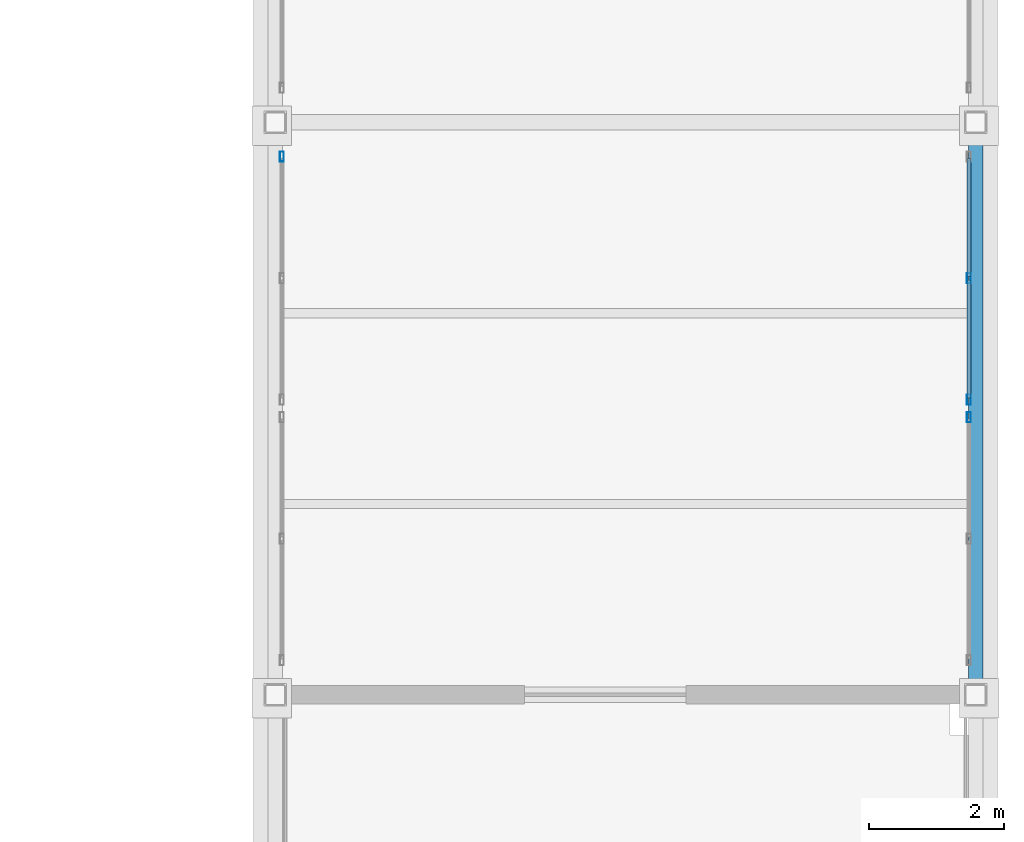
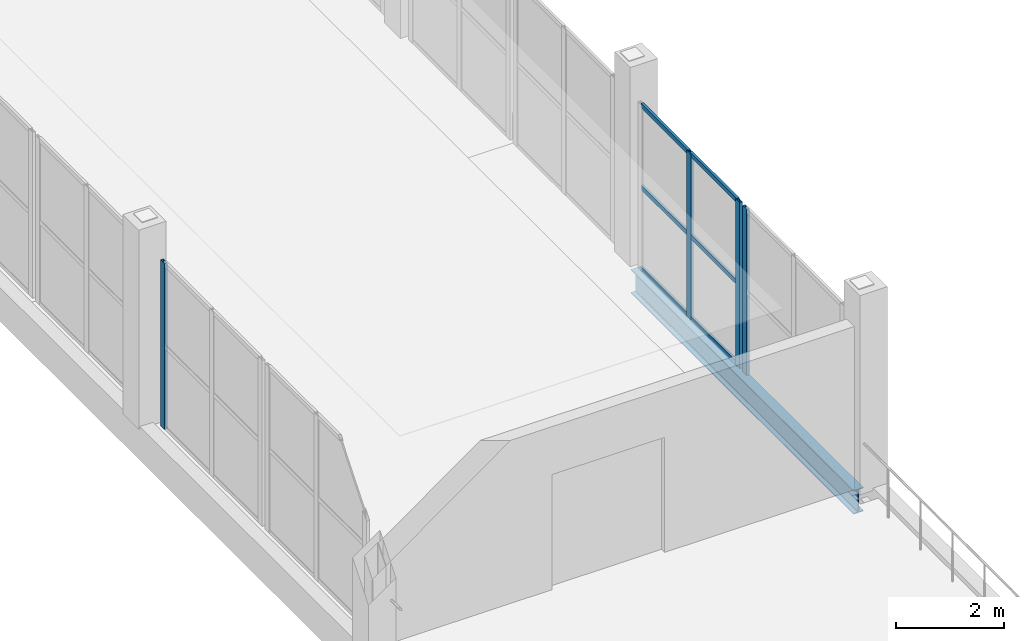
# One storey, part 74 of 156: 10 members, 1 beam, 3 elements without a shape of their own.
"""IFC4 building model written with IfcOpenShell, lengths in metres."""

from ifc_helpers import new_model, si_unit, direction, frame, origin, origin_2d, place, context, subcontext, project, spatial, hollow_rectangle, i_section, extrude, material, material_profile, profile_set, type_object, element, aggregate, save


model = new_model("IFC4")

# Units and contexts
model_context = context("Model", 3, precision=1e-05, world=origin(), true_north=direction((0.0, 1.0)))
body_context = subcontext(model_context, "Body", "Model", "MODEL_VIEW")
ifc_project = project(units=[si_unit("LENGTHUNIT", "METRE"), si_unit("AREAUNIT", "SQUARE_METRE"), si_unit("VOLUMEUNIT", "CUBIC_METRE"), si_unit("PLANEANGLEUNIT", "RADIAN"), si_unit("MASSUNIT", "GRAM", prefix="KILO")], contexts=[model_context])

# Site, building, storey
site_placement = place(None, origin())
site = spatial("IfcSite", under=ifc_project, at=site_placement, CompositionType="ELEMENT")
building_placement = place(site_placement, origin())
building = spatial("IfcBuilding", under=site, at=building_placement, Name="Caurita Quay Ferry Terminal", CompositionType="ELEMENT")
storey_placement = place(building_placement, frame((0.0, 0.0, 5.39990234375)))
storey = spatial("IfcBuildingStorey", under=building, at=storey_placement, Name="L01", CompositionType="ELEMENT", Elevation=5.39990234375)

# Beam
ifc_material_1 = material(Name="Structural steel ASTM A992 Gr. 50", Category="steel")
ifc_material_profile_1 = material_profile(ifc_material_1, i_section(OverallWidth=0.210693359375, OverallDepth=0.53857421875, WebThickness=0.01171875, FlangeThickness=0.018798828125, FilletRadius=0.013916015625, at=origin_2d()), Name="W21X73")
ifc_profile_set_1 = profile_set([ifc_material_profile_1], Name="Structural steel ASTM A992 Gr. 50")
beam_type = type_object("IfcBeamType", Name="BM-GR-W21A", PredefinedType="BEAM", material=ifc_profile_set_1)
beam_placement = place(storey_placement, frame((174.0, 8.62939453125, -0.504150390625), z_axis=(0.0, 1.0, 0.0), x_axis=(-1.0, 0.0, 0.0)))
element("IfcBeam", 1, at=beam_placement, inside=storey, type_object=beam_type, Name="L01 Beam BM-V3P-L01-Y-1740-86", PredefinedType="BEAM", context=body_context, shape_type="SweptSolid", body=[
    extrude(i_section(OverallWidth=0.210693359375, OverallDepth=0.53857421875, WebThickness=0.01171875, FlangeThickness=0.018798828125, FilletRadius=0.013916015625, at=origin_2d()), origin(), (0.0, 0.0, 1.0), 8.2412109375),
])

# Curtain wall, member
ifc_material_2 = material(Name="Laminated solar-control insulated glass", Category="glass")
curtain_wall_type = type_object("IfcCurtainWallType", Name="CW-SYS-15", PredefinedType="NOTDEFINED", material=ifc_material_2)
curtain_wall_1_placement = place(storey_placement, origin())
curtain_wall_1 = element("IfcCurtainWall", 2, at=curtain_wall_1_placement, inside=storey, type_object=curtain_wall_type, Name="Boarding Gangway Ribbon Curtain Wall 125", PredefinedType="NOTDEFINED")
ifc_material_3 = material(Name="Anodized aluminium 6063-T6", Category="aluminium")
ifc_material_profile_2 = material_profile(ifc_material_3, hollow_rectangle(XDim=0.06005859375, YDim=0.14990234375, WallThickness=0.00341796875, at=origin_2d()), Name="ALU-MUL-60X150")
ifc_profile_set_2 = profile_set([ifc_material_profile_2], Name="Anodized aluminium 6063-T6")
member_type_1 = type_object("IfcMemberType", Name="CW-MUL-150", PredefinedType="MULLION", material=ifc_profile_set_2)
member_1_placement = place(storey_placement, frame((163.699951171875, 16.489990234375, 0.0), z_axis=(0.0, 0.0, 1.0), x_axis=(-1.0, 0.0, 0.0)))
member_1 = element("IfcMember", 3, at=member_1_placement, type_object=member_type_1, Name="CW-BGW-125 Mullion 3", PredefinedType="MULLION", context=body_context, shape_type="SweptSolid", body=[
    extrude(hollow_rectangle(XDim=0.06005859375, YDim=0.14990234375, WallThickness=0.00341796875, at=origin_2d()), origin(), (0.0, 0.0, 1.0), 3.75),
])
aggregate(curtain_wall_1, [member_1])

curtain_wall_2_placement = place(storey_placement, origin())
curtain_wall_2 = element("IfcCurtainWall", 4, at=curtain_wall_2_placement, inside=storey, type_object=curtain_wall_type, Name="Boarding Gangway Ribbon Curtain Wall 130", PredefinedType="NOTDEFINED")
member_2_placement = place(storey_placement, frame((173.89990234375, 12.6201171875, 0.0), z_axis=(0.0, 0.0, 1.0), x_axis=(-1.0, 0.0, 0.0)))
member_2 = element("IfcMember", 5, at=member_2_placement, type_object=member_type_1, Name="CW-BGW-130 Mullion 3", PredefinedType="MULLION", context=body_context, shape_type="SweptSolid", body=[
    extrude(hollow_rectangle(XDim=0.06005859375, YDim=0.14990234375, WallThickness=0.00341796875, at=origin_2d()), origin(), (0.0, 0.0, 1.0), 3.75),
])
aggregate(curtain_wall_2, [member_2])

# Curtain wall, members
curtain_wall_3_placement = place(storey_placement, origin())
curtain_wall_3 = element("IfcCurtainWall", 6, at=curtain_wall_3_placement, inside=storey, type_object=curtain_wall_type, Name="Boarding Gangway Ribbon Curtain Wall 131", PredefinedType="NOTDEFINED")
member_3_placement = place(storey_placement, frame((173.89990234375, 12.8798828125, 0.0), z_axis=(0.0, 0.0, 1.0), x_axis=(-1.0, 0.0, 0.0)))
member_3 = element("IfcMember", 7, at=member_3_placement, type_object=member_type_1, Name="CW-BGW-131 Mullion 1", PredefinedType="MULLION", context=body_context, shape_type="SweptSolid", body=[
    extrude(hollow_rectangle(XDim=0.06005859375, YDim=0.14990234375, WallThickness=0.00341796875, at=origin_2d()), origin(), (0.0, 0.0, 1.0), 3.75),
])
member_4_placement = place(storey_placement, frame((173.89990234375, 14.68505859375, 0.0), z_axis=(0.0, 0.0, 1.0), x_axis=(-1.0, 0.0, 0.0)))
member_4 = element("IfcMember", 8, at=member_4_placement, type_object=member_type_1, Name="CW-BGW-131 Mullion 2", PredefinedType="MULLION", context=body_context, shape_type="SweptSolid", body=[
    extrude(hollow_rectangle(XDim=0.06005859375, YDim=0.14990234375, WallThickness=0.00341796875, at=origin_2d()), origin(), (0.0, 0.0, 1.0), 3.75),
])
ifc_material_profile_3 = material_profile(ifc_material_3, hollow_rectangle(XDim=0.054931640625, YDim=0.10009765625, WallThickness=0.00341796875, at=origin_2d()), Name="ALU-TRN-55X100")
ifc_profile_set_3 = profile_set([ifc_material_profile_3], Name="Anodized aluminium 6063-T6")
member_type_2 = type_object("IfcMemberType", Name="CW-TRN-100", PredefinedType="USERDEFINED", material=ifc_profile_set_3)
member_5_placement = place(storey_placement, frame((173.89990234375, 12.907958984375, 0.027587890625), z_axis=(0.0, 1.0, 0.0), x_axis=(-1.0, 0.0, 0.0)))
member_5 = element("IfcMember", 9, at=member_5_placement, type_object=member_type_2, Name="CW-BGW-131 Transom 1", ObjectType="TRANSOM", PredefinedType="USERDEFINED", context=body_context, shape_type="SweptSolid", body=[
    extrude(hollow_rectangle(XDim=0.054931640625, YDim=0.10009765625, WallThickness=0.00341796875, at=origin_2d()), origin(), (0.0, 0.0, 1.0), 1.7490234375),
])
member_6_placement = place(storey_placement, frame((173.89990234375, 12.907958984375, 1.875), z_axis=(0.0, 1.0, 0.0), x_axis=(-1.0, 0.0, 0.0)))
member_6 = element("IfcMember", 10, at=member_6_placement, type_object=member_type_2, Name="CW-BGW-131 Transom 2", ObjectType="TRANSOM", PredefinedType="USERDEFINED", context=body_context, shape_type="SweptSolid", body=[
    extrude(hollow_rectangle(XDim=0.054931640625, YDim=0.10009765625, WallThickness=0.00341796875, at=origin_2d()), origin(), (0.0, 0.0, 1.0), 1.7490234375),
])
member_7_placement = place(storey_placement, frame((173.89990234375, 12.907958984375, 3.72265625), z_axis=(0.0, 1.0, 0.0), x_axis=(-1.0, 0.0, 0.0)))
member_7 = element("IfcMember", 11, at=member_7_placement, type_object=member_type_2, Name="CW-BGW-131 Transom 3", ObjectType="TRANSOM", PredefinedType="USERDEFINED", context=body_context, shape_type="SweptSolid", body=[
    extrude(hollow_rectangle(XDim=0.054931640625, YDim=0.10009765625, WallThickness=0.00341796875, at=origin_2d()), origin(), (0.0, 0.0, 1.0), 1.7490234375),
])
member_8_placement = place(storey_placement, frame((173.89990234375, 14.712890625, 0.027587890625), z_axis=(0.0, 1.0, 0.0), x_axis=(-1.0, 0.0, 0.0)))
member_8 = element("IfcMember", 12, at=member_8_placement, type_object=member_type_2, Name="CW-BGW-131 Transom 4", ObjectType="TRANSOM", PredefinedType="USERDEFINED", context=body_context, shape_type="SweptSolid", body=[
    extrude(hollow_rectangle(XDim=0.054931640625, YDim=0.10009765625, WallThickness=0.00341796875, at=origin_2d()), origin(), (0.0, 0.0, 1.0), 1.7490234375),
])
member_9_placement = place(storey_placement, frame((173.89990234375, 14.712890625, 1.875), z_axis=(0.0, 1.0, 0.0), x_axis=(-1.0, 0.0, 0.0)))
member_9 = element("IfcMember", 13, at=member_9_placement, type_object=member_type_2, Name="CW-BGW-131 Transom 5", ObjectType="TRANSOM", PredefinedType="USERDEFINED", context=body_context, shape_type="SweptSolid", body=[
    extrude(hollow_rectangle(XDim=0.054931640625, YDim=0.10009765625, WallThickness=0.00341796875, at=origin_2d()), origin(), (0.0, 0.0, 1.0), 1.7490234375),
])
member_10_placement = place(storey_placement, frame((173.89990234375, 14.712890625, 3.72265625), z_axis=(0.0, 1.0, 0.0), x_axis=(-1.0, 0.0, 0.0)))
member_10 = element("IfcMember", 14, at=member_10_placement, type_object=member_type_2, Name="CW-BGW-131 Transom 6", ObjectType="TRANSOM", PredefinedType="USERDEFINED", context=body_context, shape_type="SweptSolid", body=[
    extrude(hollow_rectangle(XDim=0.054931640625, YDim=0.10009765625, WallThickness=0.00341796875, at=origin_2d()), origin(), (0.0, 0.0, 1.0), 1.7490234375),
])
aggregate(curtain_wall_3, [member_3, member_4, member_5, member_6, member_7, member_8, member_9, member_10])

save(model, "model.ifc")
